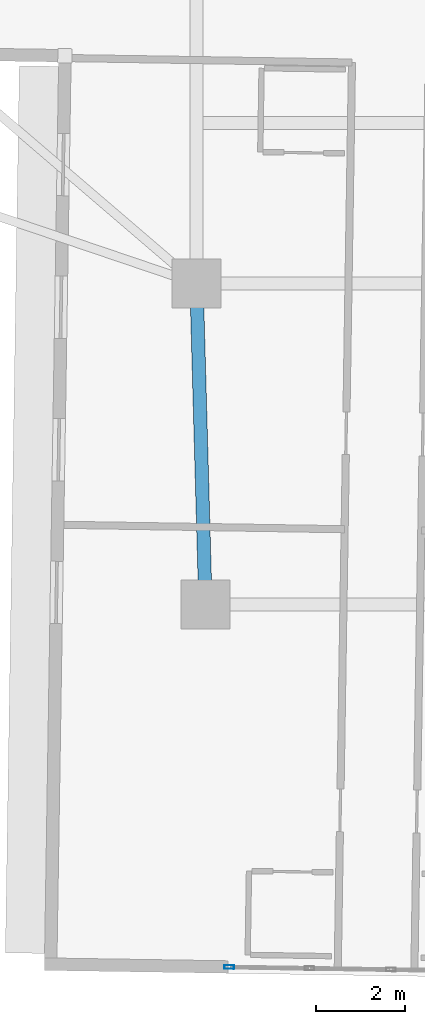
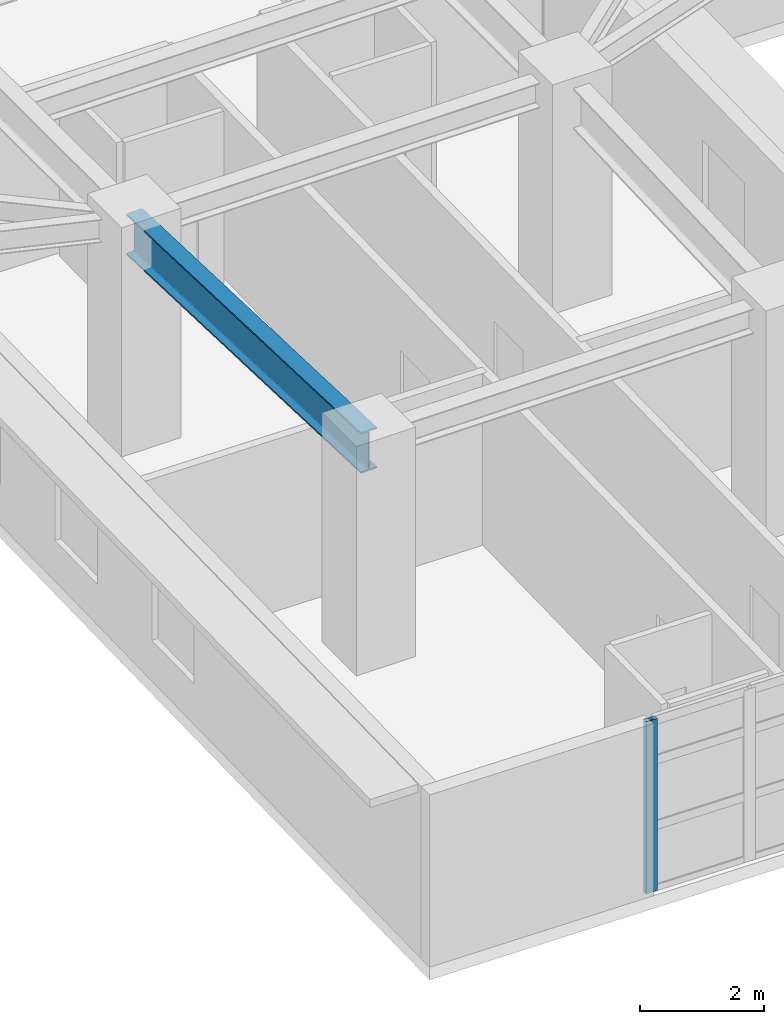
# One storey, part 2 of 22: 1 beam, 1 member, 1 element without a shape of its own.
"""IFC4 building model written with IfcOpenShell, lengths in metres."""

from ifc_helpers import new_model, si_unit, direction, frame, origin, origin_2d, place, context, subcontext, project, spatial, hollow_rectangle, i_section, extrude, material, layer, layer_set, material_profile, profile_set, type_object, element, aggregate, save


model = new_model("IFC4")

# Units and contexts
model_context = context("Model", 3, precision=1e-05, world=origin(), true_north=direction((0.0, 1.0)))
body_context = subcontext(model_context, "Body", "Model", "MODEL_VIEW")
ifc_project = project(units=[si_unit("LENGTHUNIT", "METRE"), si_unit("AREAUNIT", "SQUARE_METRE"), si_unit("VOLUMEUNIT", "CUBIC_METRE"), si_unit("PLANEANGLEUNIT", "RADIAN"), si_unit("MASSUNIT", "GRAM", prefix="KILO")], contexts=[model_context])

# Site, building, storey
site_placement = place(None, origin())
site = spatial("IfcSite", under=ifc_project, at=site_placement, CompositionType="ELEMENT")
building_placement = place(site_placement, origin())
building = spatial("IfcBuilding", under=site, at=building_placement, Name="Qingluan Cross Belvedere", CompositionType="ELEMENT")
storey_placement = place(building_placement, frame((0.0, 0.0, 100.199951171875)))
storey = spatial("IfcBuildingStorey", under=building, at=storey_placement, Name="L25", CompositionType="ELEMENT", Elevation=100.199951171875)

# Curtain wall, member
ifc_material_1 = material(Name="Thermally broken aluminium and Low-E glass", Category="aluminium")
ifc_layer = layer(ifc_material_1, 0.199951171875, Name="UnitisedCW_SkyLobbyLow")
ifc_layer_set = layer_set([ifc_layer], Name="Thermally broken aluminium and Low-E glass")
curtain_wall_type = type_object("IfcCurtainWallType", Name="UnitisedCW_SkyLobbyLow", PredefinedType="USERDEFINED", material=ifc_layer_set)
curtain_wall_placement = place(storey_placement, origin())
curtain_wall = element("IfcCurtainWall", 1, at=curtain_wall_placement, inside=storey, type_object=curtain_wall_type, Name="UnitisedCW_SkyLobbyLow run env:cw:L25:S", ObjectType="UNITISED CURTAIN WALL", PredefinedType="USERDEFINED")
ifc_material_2 = material(Name="Aluminium alloy 6063-T6", Category="aluminium")
ifc_material_profile_1 = material_profile(ifc_material_2, hollow_rectangle(XDim=0.0849609375, YDim=0.219970703125, WallThickness=0.0048828125, InnerFilletRadius=0.0048828125, OuterFilletRadius=0.010009765625, at=origin_2d()), Name="CWM220x85x5")
ifc_profile_set_1 = profile_set([ifc_material_profile_1], Name="Aluminium alloy 6063-T6")
member_type = type_object("IfcMemberType", Name="CWMullion_220", PredefinedType="MULLION", material=ifc_profile_set_1)
member_placement = place(storey_placement, frame((-3.26611328125, -35.133056640625, 0.0), z_axis=(0.0, 0.0, 1.0), x_axis=(0.015707062874, 0.999876636479, 0.0)))
member = element("IfcMember", 2, at=member_placement, type_object=member_type, Name="CW-S1 mullion 1", PredefinedType="MULLION", context=body_context, shape_type="SweptSolid", body=[
    extrude(hollow_rectangle(XDim=0.0849609375, YDim=0.219970703125, WallThickness=0.0048828125, InnerFilletRadius=0.0048828125, OuterFilletRadius=0.010009765625, at=origin_2d()), origin(), (0.0, 0.0, 1.0), 3.380126953125),
])
aggregate(curtain_wall, [member])

# Beam
ifc_material_3 = material(Name="Steel Q420GJB", Category="steel")
ifc_material_profile_2 = material_profile(ifc_material_3, i_section(OverallWidth=0.300048828125, OverallDepth=0.800048828125, WebThickness=0.015380859375, FlangeThickness=0.028076171875, FilletRadius=0.030029296875, at=origin_2d()), Name="HEB800")
ifc_profile_set_2 = profile_set([ifc_material_profile_2], Name="Steel Q420GJB")
beam_type = type_object("IfcBeamType", Name="Steel_Girder_HEB800", PredefinedType="USERDEFINED", material=ifc_profile_set_2)
beam_placement = place(storey_placement, frame((-4.0, -19.800048828125, 3.900146484375), z_axis=(0.027760481514, -0.999614603568, 0.0), x_axis=(0.999614603568, 0.027760481514, 0.0)))
element("IfcBeam", 3, at=beam_placement, inside=storey, type_object=beam_type, Name="Arm S outer radial girder A L25", ObjectType="GIRDER", PredefinedType="USERDEFINED", context=body_context, shape_type="SweptSolid", body=[
    extrude(i_section(OverallWidth=0.300048828125, OverallDepth=0.800048828125, WebThickness=0.015380859375, FlangeThickness=0.028076171875, FilletRadius=0.030029296875, at=origin_2d()), origin(), (0.0, 0.0, 1.0), 7.20263671875),
])

save(model, "model.ifc")
